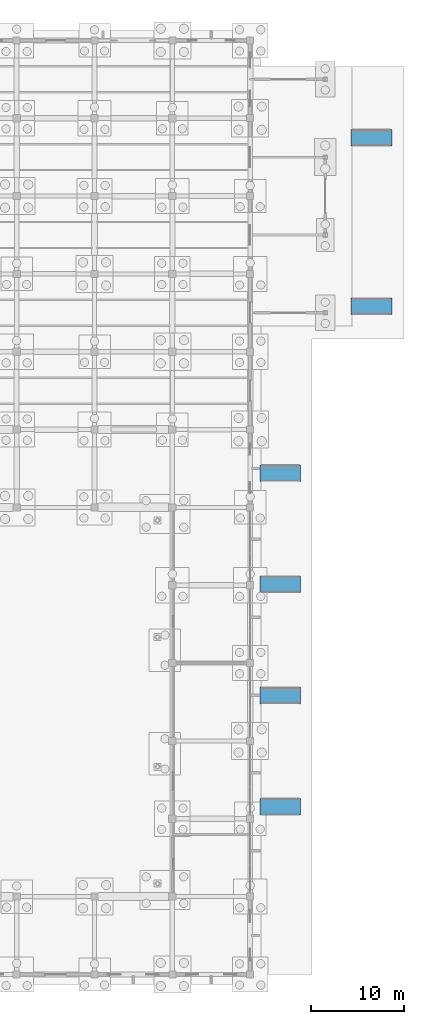
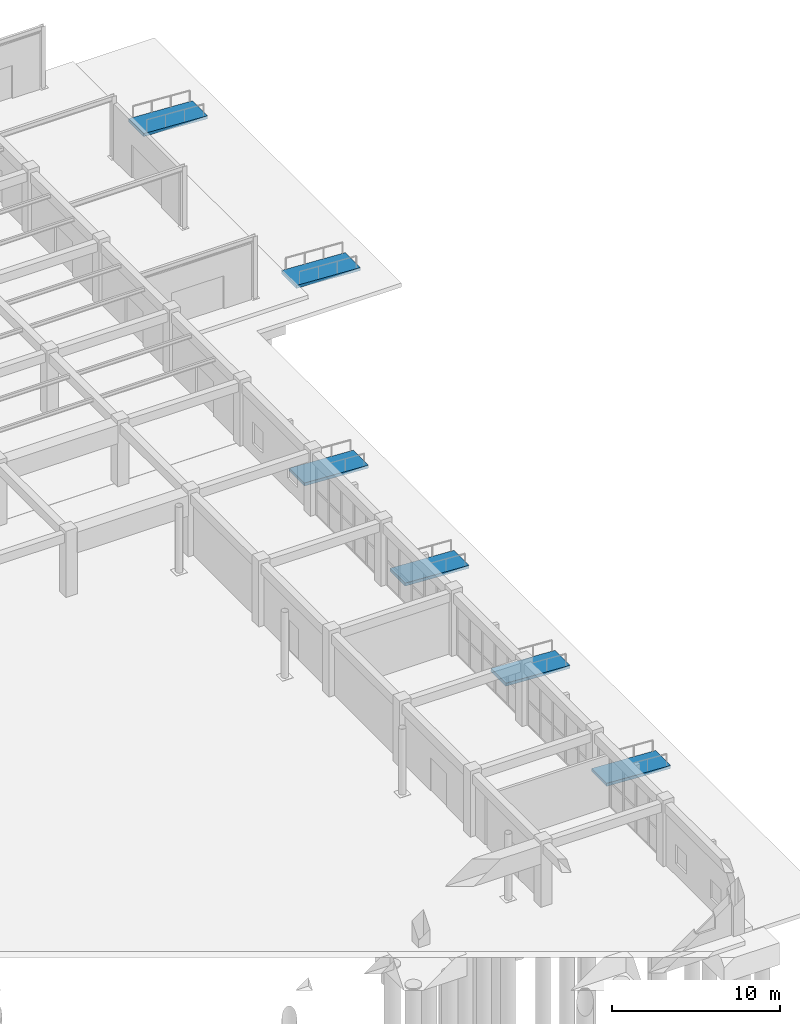
# One storey, part 175 of 192: 6 ramp flights, 6 elements without a shape of their own.
"""IFC4 building model written with IfcOpenShell, lengths in metres."""

from ifc_helpers import new_model, si_unit, direction, frame, origin, place, context, subcontext, project, spatial, polyline, outline, extrude, material, layer, layer_set, type_object, element, aggregate, save


model = new_model("IFC4")

# Units and contexts
model_context = context("Model", 3, precision=1e-05, world=origin(), true_north=direction((0.0, 1.0)))
body_context = subcontext(model_context, "Body", "Model", "MODEL_VIEW")
ifc_project = project(units=[si_unit("LENGTHUNIT", "METRE"), si_unit("AREAUNIT", "SQUARE_METRE"), si_unit("VOLUMEUNIT", "CUBIC_METRE"), si_unit("PLANEANGLEUNIT", "RADIAN"), si_unit("MASSUNIT", "GRAM", prefix="KILO")], contexts=[model_context])

# Site, building, storey
site_placement = place(None, origin())
site = spatial("IfcSite", under=ifc_project, at=site_placement, CompositionType="ELEMENT")
building_placement = place(site_placement, origin())
building = spatial("IfcBuilding", under=site, at=building_placement, Name="Trelvath General Hospital", CompositionType="ELEMENT")
storey_placement = place(building_placement, origin())
storey = spatial("IfcBuildingStorey", under=building, at=storey_placement, Name="L00", CompositionType="ELEMENT", Elevation=0.0)

# Ramp, ramp flight
ifc_material_1 = material(Name="Concrete C35/45", Category="concrete")
ramp_type = type_object("IfcRampType", Name="Ramp AccessibleArrival", PredefinedType="STRAIGHT_RUN_RAMP", material=ifc_material_1)
ramp_1_placement = place(storey_placement, origin())
ramp_1 = element("IfcRamp", 1, at=ramp_1_placement, inside=storey, type_object=ramp_type, Name="Step-Free Arrival Ramp RM-01", PredefinedType="STRAIGHT_RUN_RAMP")
ifc_material_2 = material(Name="Concrete C35/45", Category="concrete")
ifc_layer = layer(ifc_material_2, 0.219970703125)
ifc_layer_set = layer_set([ifc_layer], Name="Concrete C35/45")
ramp_flight_type = type_object("IfcRampFlightType", Name="RampFlight Accessible", PredefinedType="STRAIGHT", material=ifc_layer_set)
ramp_flight_1_placement = place(storey_placement, frame((185.85009765625, 34.0, 0.0), z_axis=(0.054463488778, 0.0, 0.998515762715), x_axis=(0.998515762715, 0.0, -0.054463488778)))
ramp_flight_1 = element("IfcRampFlight", 2, at=ramp_flight_1_placement, type_object=ramp_flight_type, Name="Accessible Ramp Flight RM-01", PredefinedType="STRAIGHT", context=body_context, shape_type="SweptSolid", body=[
    extrude(outline(polyline([(0.0, 0.0), (4.406442550077342, 0.0), (4.406442550077342, 1.800048828125), (0.0, 1.800048828125), (0.0, 0.0)])), origin(), (0.0, 0.0, -1.0), 0.219970703125),
])
aggregate(ramp_1, [ramp_flight_1])

ramp_2_placement = place(storey_placement, origin())
ramp_2 = element("IfcRamp", 3, at=ramp_2_placement, inside=storey, type_object=ramp_type, Name="Step-Free Arrival Ramp RM-02", PredefinedType="STRAIGHT_RUN_RAMP")
ramp_flight_2_placement = place(storey_placement, frame((185.85009765625, 46.0, 0.0), z_axis=(0.054463488778, 0.0, 0.998515762715), x_axis=(0.998515762715, 0.0, -0.054463488778)))
ramp_flight_2 = element("IfcRampFlight", 4, at=ramp_flight_2_placement, type_object=ramp_flight_type, Name="Accessible Ramp Flight RM-02", PredefinedType="STRAIGHT", context=body_context, shape_type="SweptSolid", body=[
    extrude(outline(polyline([(0.0, 0.0), (4.406442550077342, 0.0), (4.406442550077342, 1.800048828125), (0.0, 1.800048828125), (0.0, 0.0)])), origin(), (0.0, 0.0, -1.0), 0.219970703125),
])
aggregate(ramp_2, [ramp_flight_2])

ramp_3_placement = place(storey_placement, origin())
ramp_3 = element("IfcRamp", 5, at=ramp_3_placement, inside=storey, type_object=ramp_type, Name="Step-Free Arrival Ramp RM-03", PredefinedType="STRAIGHT_RUN_RAMP")
ramp_flight_3_placement = place(storey_placement, frame((185.85009765625, 58.0, 0.0), z_axis=(0.054463488778, 0.0, 0.998515762715), x_axis=(0.998515762715, 0.0, -0.054463488778)))
ramp_flight_3 = element("IfcRampFlight", 6, at=ramp_flight_3_placement, type_object=ramp_flight_type, Name="Accessible Ramp Flight RM-03", PredefinedType="STRAIGHT", context=body_context, shape_type="SweptSolid", body=[
    extrude(outline(polyline([(0.0, 0.0), (4.406442550077342, 0.0), (4.406442550077342, 1.800048828125), (0.0, 1.800048828125), (0.0, 0.0)])), origin(), (0.0, 0.0, -1.0), 0.219970703125),
])
aggregate(ramp_3, [ramp_flight_3])

ramp_4_placement = place(storey_placement, origin())
ramp_4 = element("IfcRamp", 7, at=ramp_4_placement, inside=storey, type_object=ramp_type, Name="Step-Free Arrival Ramp RM-04", PredefinedType="STRAIGHT_RUN_RAMP")
ramp_flight_4_placement = place(storey_placement, frame((185.85009765625, 70.0, 0.0), z_axis=(0.054463488778, 0.0, 0.998515762715), x_axis=(0.998515762715, 0.0, -0.054463488778)))
ramp_flight_4 = element("IfcRampFlight", 8, at=ramp_flight_4_placement, type_object=ramp_flight_type, Name="Accessible Ramp Flight RM-04", PredefinedType="STRAIGHT", context=body_context, shape_type="SweptSolid", body=[
    extrude(outline(polyline([(0.0, 0.0), (4.406442550077342, 0.0), (4.406442550077342, 1.800048828125), (0.0, 1.800048828125), (0.0, 0.0)])), origin(), (0.0, 0.0, -1.0), 0.219970703125),
])
aggregate(ramp_4, [ramp_flight_4])

ramp_5_placement = place(storey_placement, origin())
ramp_5 = element("IfcRamp", 9, at=ramp_5_placement, inside=storey, type_object=ramp_type, Name="Step-Free Arrival Ramp RM-05", PredefinedType="STRAIGHT_RUN_RAMP")
ramp_flight_5_placement = place(storey_placement, frame((195.699951171875, 88.0, 0.0), z_axis=(0.054460475852, 0.0, 0.998515927049), x_axis=(0.998515927049, 0.0, -0.054460475852)))
ramp_flight_5 = element("IfcRampFlight", 10, at=ramp_flight_5_placement, type_object=ramp_flight_type, Name="Accessible Ramp Flight RM-05", PredefinedType="STRAIGHT", context=body_context, shape_type="SweptSolid", body=[
    extrude(outline(polyline([(0.0, 0.0), (4.406686328359785, 0.0), (4.406686328359785, 1.8000488281250004), (0.0, 1.8000488281250004), (0.0, 0.0)])), origin(), (0.0, 0.0, -1.0), 0.219970703125),
])
aggregate(ramp_5, [ramp_flight_5])

ramp_6_placement = place(storey_placement, origin())
ramp_6 = element("IfcRamp", 11, at=ramp_6_placement, inside=storey, type_object=ramp_type, Name="Step-Free Arrival Ramp RM-06", PredefinedType="STRAIGHT_RUN_RAMP")
ramp_flight_6_placement = place(storey_placement, frame((195.699951171875, 106.199951171875, 0.0), z_axis=(0.054460475852, 0.0, 0.998515927049), x_axis=(0.998515927049, 0.0, -0.054460475852)))
ramp_flight_6 = element("IfcRampFlight", 12, at=ramp_flight_6_placement, type_object=ramp_flight_type, Name="Accessible Ramp Flight RM-06", PredefinedType="STRAIGHT", context=body_context, shape_type="SweptSolid", body=[
    extrude(outline(polyline([(0.0, 0.0), (4.406686328359785, 0.0), (4.406686328359785, 1.8000488281250004), (0.0, 1.8000488281250004), (0.0, 0.0)])), origin(), (0.0, 0.0, -1.0), 0.219970703125),
])
aggregate(ramp_6, [ramp_flight_6])

save(model, "model.ifc")
